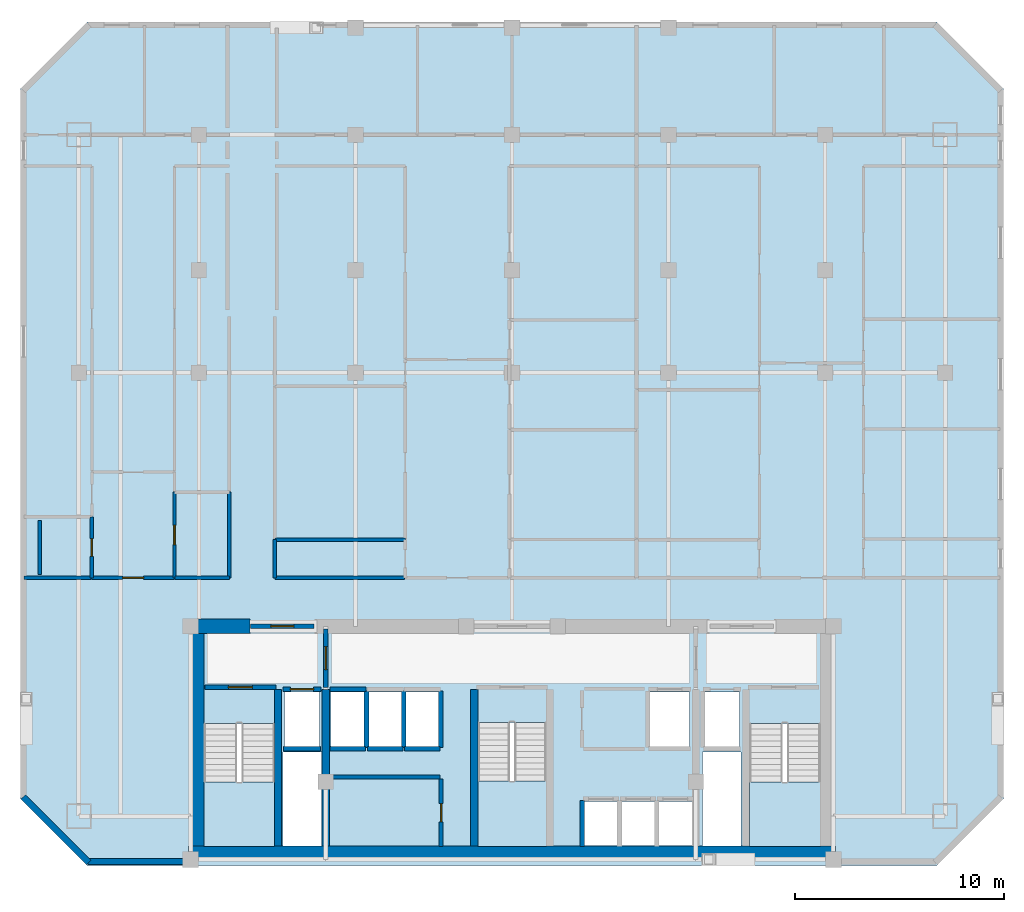
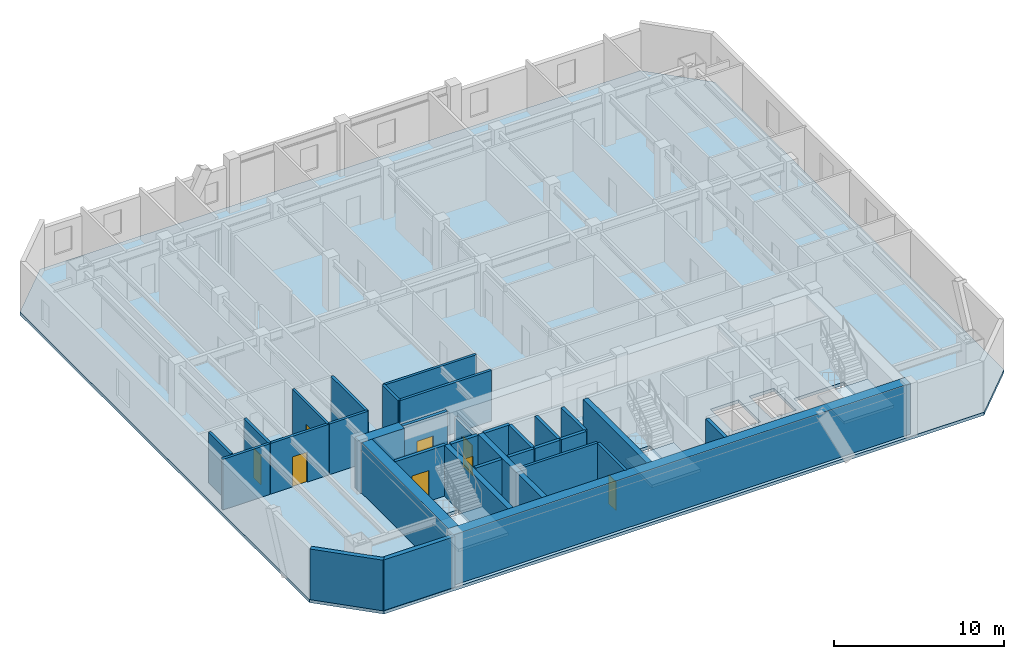
# One storey, part 2 of 8: 33 walls, 8 doors, 4 slabs, 8 openings, 3 elements without a shape of their own.
"""IFC4 building model written with IfcOpenShell, lengths in metres."""

from ifc_helpers import new_model, si_unit, direction, frame, frame_2d, origin, place, context, subcontext, project, spatial, polyline, rectangle, outline, extrude, material, layer, layer_set, type_object, element, fill, aggregate, save


model = new_model("IFC4")

# Units and contexts
model_context = context("Model", 3, precision=1e-05, world=origin(), true_north=direction((0.0, 1.0)))
body_context = subcontext(model_context, "Body", "Model", "MODEL_VIEW")
ifc_project = project(units=[si_unit("LENGTHUNIT", "METRE"), si_unit("AREAUNIT", "SQUARE_METRE"), si_unit("VOLUMEUNIT", "CUBIC_METRE"), si_unit("PLANEANGLEUNIT", "RADIAN"), si_unit("MASSUNIT", "GRAM", prefix="KILO")], contexts=[model_context])

# Site, building, storey
site_placement = place(None, origin())
site = spatial("IfcSite", under=ifc_project, at=site_placement, CompositionType="ELEMENT")
building_placement = place(site_placement, origin())
building = spatial("IfcBuilding", under=site, at=building_placement, Name="Ventersveld Concourse Tower", CompositionType="ELEMENT")
storey_placement = place(building_placement, frame((0.0, 0.0, 164.449951171875)))
storey = spatial("IfcBuildingStorey", under=building, at=storey_placement, Name="L40", CompositionType="ELEMENT", Elevation=164.449951171875)

# Slab
ifc_material_1 = material(Name="Concrete C50/60", Category="concrete")
ifc_layer_1 = layer(ifc_material_1, 0.219970703125)
ifc_layer_set_1 = layer_set([ifc_layer_1], Name="Concrete C50/60")
slab_type_1 = type_object("IfcSlabType", Name="SL-FLR-220", PredefinedType="FLOOR", material=ifc_layer_set_1)
slab_1_placement = place(storey_placement, frame((0.0, 0.0, -0.219970703125)))
element("IfcSlab", 1, at=slab_1_placement, inside=storey, type_object=slab_type_1, Name="L40 Composite Floor Slab", PredefinedType="FLOOR", context=body_context, shape_type="SweptSolid", body=[
    extrude(outline(polyline([(8.39990234375, 0.0), (49.10009765625, 0.0), (52.300048828125, 3.199951171875), (52.300048828125, 37.199951171875), (49.10009765625, 40.39990234375), (8.39990234375, 40.39990234375), (5.199951171875, 37.199951171875), (5.199951171875, 3.199951171875), (8.39990234375, 0.0)]), holes=[polyline([(13.97998046875, 6.794921875), (13.97998046875, 0.89990234375), (17.3798828125, 0.89990234375), (17.3798828125, 6.794921875), (13.97998046875, 6.794921875)]), polyline([(40.1201171875, 6.794921875), (40.1201171875, 0.89990234375), (43.52001953125, 0.89990234375), (43.52001953125, 6.794921875), (40.1201171875, 6.794921875)]), polyline([(27.10009765625, 6.844970703125), (27.10009765625, 0.89990234375), (30.39990234375, 0.89990234375), (30.39990234375, 6.844970703125), (27.10009765625, 6.844970703125)]), polyline([(17.85009765625, 5.699951171875), (19.530029296875, 5.699951171875), (19.530029296875, 8.300048828125), (17.85009765625, 8.300048828125), (17.85009765625, 5.699951171875)]), polyline([(37.969970703125, 5.699951171875), (39.64990234375, 5.699951171875), (39.64990234375, 8.300048828125), (37.969970703125, 8.300048828125), (37.969970703125, 5.699951171875)]), polyline([(35.35009765625, 5.699951171875), (37.25, 5.699951171875), (37.25, 8.300048828125), (35.35009765625, 8.300048828125), (35.35009765625, 5.699951171875)]), polyline([(32.2099609375, 0.949951171875), (33.81005859375, 0.949951171875), (33.81005859375, 3.050048828125), (32.2099609375, 3.050048828125), (32.2099609375, 0.949951171875)]), polyline([(33.989990234375, 0.949951171875), (35.590087890625, 0.949951171875), (35.590087890625, 3.050048828125), (33.989990234375, 3.050048828125), (33.989990234375, 0.949951171875)]), polyline([(35.77001953125, 0.949951171875), (37.3701171875, 0.949951171875), (37.3701171875, 3.050048828125), (35.77001953125, 3.050048828125), (35.77001953125, 0.949951171875)]), polyline([(20.090087890625, 5.699951171875), (21.68994140625, 5.699951171875), (21.68994140625, 8.300048828125), (20.090087890625, 8.300048828125), (20.090087890625, 5.699951171875)]), polyline([(21.8701171875, 5.699951171875), (23.469970703125, 5.699951171875), (23.469970703125, 8.300048828125), (21.8701171875, 8.300048828125), (21.8701171875, 5.699951171875)]), polyline([(23.64990234375, 5.699951171875), (25.25, 5.699951171875), (25.25, 8.300048828125), (23.64990234375, 8.300048828125), (23.64990234375, 5.699951171875)]), polyline([(17.780029296875, 0.919921875), (19.6201171875, 0.919921875), (19.6201171875, 5.419921875), (17.780029296875, 5.419921875), (17.780029296875, 0.919921875)]), polyline([(37.8798828125, 0.919921875), (39.719970703125, 0.919921875), (39.719970703125, 5.419921875), (37.8798828125, 5.419921875), (37.8798828125, 0.919921875)])]), origin(), (0.0, 0.0, 1.0), 0.219970703125),
])

# Stair, slab
stair_type_1 = type_object("IfcStairType", Name="ST-DOG-160", PredefinedType="HALF_TURN_STAIR", material=ifc_material_1)
stair_1_placement = place(storey_placement, origin())
stair_1 = element("IfcStair", 2, at=stair_1_placement, inside=storey, type_object=stair_type_1, Name="L40 Protected Tower Escape Stair ST-01", PredefinedType="HALF_TURN_STAIR")
ifc_layer_2 = layer(ifc_material_1, 0.199951171875)
ifc_layer_set_2 = layer_set([ifc_layer_2], Name="Concrete C50/60")
slab_type_2 = type_object("IfcSlabType", Name="SL-LND-200", PredefinedType="LANDING", material=ifc_layer_set_2)
slab_2_placement = place(storey_placement, frame((0.0, 0.0, 1.72509765625)))
slab_2 = element("IfcSlab", 3, at=slab_2_placement, type_object=slab_type_2, Name="ST-01 landing 1", PredefinedType="LANDING", context=body_context, shape_type="SweptSolid", body=[
    extrude(outline(polyline([(13.97998046875, 4.0), (13.97998046875, 0.89990234375), (17.3798828125, 0.89990234375), (17.3798828125, 4.0), (13.97998046875, 4.0)])), origin(), (0.0, 0.0, 1.0), 0.199951171875),
])
aggregate(stair_1, [slab_2])

stair_2_placement = place(storey_placement, origin())
stair_2 = element("IfcStair", 4, at=stair_2_placement, inside=storey, type_object=stair_type_1, Name="L40 Protected Tower Escape Stair ST-02", PredefinedType="HALF_TURN_STAIR")
slab_3_placement = place(storey_placement, frame((0.0, 0.0, 1.72509765625)))
slab_3 = element("IfcSlab", 5, at=slab_3_placement, type_object=slab_type_2, Name="ST-02 landing 1", PredefinedType="LANDING", context=body_context, shape_type="SweptSolid", body=[
    extrude(outline(polyline([(40.1201171875, 4.0), (40.1201171875, 0.89990234375), (43.52001953125, 0.89990234375), (43.52001953125, 4.0), (40.1201171875, 4.0)])), origin(), (0.0, 0.0, 1.0), 0.199951171875),
])
aggregate(stair_2, [slab_3])

stair_type_2 = type_object("IfcStairType", Name="ST-DOG-155", PredefinedType="HALF_TURN_STAIR", material=ifc_material_1)
stair_3_placement = place(storey_placement, origin())
stair_3 = element("IfcStair", 6, at=stair_3_placement, inside=storey, type_object=stair_type_2, Name="L40 Protected Central Core Escape Stair ST-03", PredefinedType="HALF_TURN_STAIR")
slab_4_placement = place(storey_placement, frame((0.0, 0.0, 1.72509765625)))
slab_4 = element("IfcSlab", 7, at=slab_4_placement, type_object=slab_type_2, Name="ST-03 landing 1", PredefinedType="LANDING", context=body_context, shape_type="SweptSolid", body=[
    extrude(outline(polyline([(27.10009765625, 4.050048828125), (27.10009765625, 0.89990234375), (30.39990234375, 0.89990234375), (30.39990234375, 4.050048828125), (27.10009765625, 4.050048828125)])), origin(), (0.0, 0.0, 1.0), 0.199951171875),
])
aggregate(stair_3, [slab_4])

# Walls
ifc_material_2 = material(Name="Concrete C60/75", Category="concrete")
ifc_layer_3 = layer(ifc_material_2, 0.35009765625)
ifc_layer_set_3 = layer_set([ifc_layer_3], Name="Concrete C60/75")
wall_type_1 = type_object("IfcWallType", Name="WL-CORE-350L", PredefinedType="SHEAR", material=ifc_layer_set_3)
for number, where, z_axis, x_axis, name in (
    (8, (17.5400390625, 0.919921875, 0.0), (0.0, 0.0, 1.0), (0.0, 1.0, 0.0), "L40 Core Internal Shear Web W-ST1-E"),
    (9, (19.820068359375, 0.919921875, 0.0), (0.0, 0.0, 1.0), (0.0, 1.0, 0.0), "L40 Core Internal Shear Web W-FF1-E"),
    (10, (26.93994140625, 0.919921875, 0.0), (0.0, 0.0, 1.0), (0.0, 1.0, 0.0), "L40 Core Internal Shear Web W-ST3-W"),
):
    element("IfcWall", number, at=place(storey_placement, frame(where, z_axis=z_axis, x_axis=x_axis)), inside=storey, type_object=wall_type_1, Name=name, PredefinedType="SHEAR", context=body_context, shape_type="SweptSolid", body=[
        extrude(rectangle(XDim=7.5, YDim=0.35009765625, at=frame_2d((3.75, 0.0))), origin(), (0.0, 0.0, 1.0), 3.630126953125),
    ])
ifc_layer_4 = layer(ifc_material_2, 0.699951171875)
ifc_layer_set_4 = layer_set([ifc_layer_4], Name="Concrete C60/75")
wall_type_2 = type_object("IfcWallType", Name="WL-CORE-700", PredefinedType="SHEAR", material=ifc_layer_set_4)
wall_1_placement = place(storey_placement, frame((13.25, 0.570068359375, 0.0), z_axis=(0.0, 0.0, 1.0), x_axis=(1.0, 0.0, 0.0)))
element("IfcWall", 11, at=wall_1_placement, inside=storey, type_object=wall_type_2, Name="L40 Rear Core South Shear Wall", PredefinedType="SHEAR", context=body_context, shape_type="SweptSolid", body=[
    extrude(rectangle(XDim=31.0, YDim=0.699951171875, at=frame_2d((15.5, 0.0))), origin(), (0.0, 0.0, 1.0), 3.630126953125),
])
wall_2_placement = place(storey_placement, frame((13.64990234375, 0.919921875, 0.0), z_axis=(0.0, 0.0, 1.0), x_axis=(0.0, 1.0, 0.0)))
element("IfcWall", 12, at=wall_2_placement, inside=storey, type_object=wall_type_2, Name="L40 Rear Core West Shear Wall", PredefinedType="SHEAR", context=body_context, shape_type="SweptSolid", body=[
    extrude(rectangle(XDim=10.530029296875, YDim=0.699951171875, at=frame_2d((5.26513671875, 0.0))), origin(), (0.0, 0.0, 1.0), 3.630126953125),
])
wall_3_placement = place(storey_placement, frame((13.25, 11.449951171875, 0.0), z_axis=(0.0, 0.0, 1.0), x_axis=(1.0, 0.0, 0.0)))
element("IfcWall", 13, at=wall_3_placement, inside=storey, type_object=wall_type_2, Name="L40 Rear Core North Shear Wall NW", PredefinedType="SHEAR", context=body_context, shape_type="SweptSolid", body=[
    extrude(rectangle(XDim=2.949951171875, YDim=0.699951171875, at=frame_2d((1.47509765625, 0.0))), origin(), (0.0, 0.0, 1.0), 3.630126953125),
])

# Wall, opening, door
ifc_material_3 = material(Name="Fire-rated autoclaved aerated masonry blockwork", Category="masonry")
ifc_layer_5 = layer(ifc_material_3, 0.179931640625)
ifc_layer_set_5 = layer_set([ifc_layer_5], Name="Fire-rated autoclaved aerated masonry blockwork")
wall_type_3 = type_object("IfcWallType", Name="WL-CORR-180", PredefinedType="PARTITIONING", material=ifc_layer_set_5)
wall_4_placement = place(storey_placement, frame((25.35009765625, 0.89990234375, 0.0), z_axis=(0.0, 0.0, 1.0), x_axis=(0.0, 1.0, 0.0)))
wall_4 = element("IfcWall", 14, at=wall_4_placement, inside=storey, type_object=wall_type_3, Name="L40 Core Passage Wall SP-L40-RECB1A", PredefinedType="PARTITIONING", context=body_context, shape_type="SweptSolid", body=[
    extrude(rectangle(XDim=3.239990234375, YDim=0.179931640625, at=frame_2d((1.6201171875, 0.0))), origin(), (0.0, 0.0, 1.0), 3.630126953125),
])
opening_1_placement = place(wall_4_placement, frame((1.179931640625, 0.0, 0.0)))
opening_1 = element("IfcOpeningElement", 15, at=opening_1_placement, cuts=wall_4, Name="Opening FD5", PredefinedType="OPENING", context=body_context, shape_type="SweptSolid", body=[
    extrude(rectangle(XDim=0.8798828125, YDim=2.050048828125, at=frame_2d((0.43994140625, 1.02490234375))), frame((0.0, 0.10009765625, 0.0), z_axis=(0.0, -1.0, 0.0), x_axis=(1.0, 0.0, 0.0)), (0.0, 0.0, 1.0), 0.199951171875),
])
ifc_material_4 = material(Name="Galvanised painted steel", Category="steel")
door_type_1 = type_object("IfcDoorType", Name="DR-RISER-088", OperationType="NOTDEFINED", PredefinedType="DOOR", material=ifc_material_4)
door_1_placement = place(opening_1_placement, origin())
door_1 = element("IfcDoor", 16, at=door_1_placement, inside=storey, type_object=door_type_1, Name="L40 Core Room Door L40 Reclaimed Core Quiet Study Pod (CD-L40-1952)", OperationType="SINGLE_SWING_LEFT", OverallHeight=2.050048828125, OverallWidth=0.8798828125, PredefinedType="DOOR", context=body_context, shape_type="SweptSolid", body=[
    extrude(rectangle(XDim=0.8798828125, YDim=2.050048828125, at=frame_2d((0.43994140625, 1.02490234375))), frame((0.0, 0.02490234375, 0.0), z_axis=(0.0, -1.0, 0.0), x_axis=(1.0, 0.0, 0.0)), (0.0, 0.0, 1.0), 0.050048828125),
])
fill(opening_1, door_1)

# Wall
wall_5_placement = place(storey_placement, frame((19.97998046875, 4.22998046875, 0.0), z_axis=(0.0, 0.0, 1.0), x_axis=(1.0, 0.0, 0.0)))
element("IfcWall", 17, at=wall_5_placement, inside=storey, type_object=wall_type_3, Name="L40 Core Top Wall SP-L40-RECB1A", PredefinedType="PARTITIONING", context=body_context, shape_type="SweptSolid", body=[
    extrude(rectangle(XDim=5.320068359375, YDim=0.179931640625, at=frame_2d((2.66015625, 0.0))), origin(), (0.0, 0.0, 1.0), 3.630126953125),
])

# Wall, opening, door
wall_6_placement = place(storey_placement, frame((8.6162109375, 13.77001953125, 0.0), z_axis=(0.0, 0.0, 1.0), x_axis=(1.0, 0.0, 0.0)))
wall_6 = element("IfcWall", 18, at=wall_6_placement, inside=storey, type_object=wall_type_3, Name="L40 Interior Partition SP-L40-COR-SP-L40-40NW-FOY", PredefinedType="PARTITIONING", context=body_context, shape_type="SweptSolid", body=[
    extrude(rectangle(XDim=3.969970703125, YDim=0.179931640625, at=frame_2d((1.98486328125, 0.0))), origin(), (0.0, 0.0, 1.0), 3.630126953125),
])
opening_2_placement = place(wall_6_placement, frame((1.485107421875, 0.0, 0.0)))
opening_2 = element("IfcOpeningElement", 19, at=opening_2_placement, cuts=wall_6, Name="Opening FD3", PredefinedType="OPENING", context=body_context, shape_type="SweptSolid", body=[
    extrude(rectangle(XDim=1.0, YDim=2.14990234375, at=frame_2d((0.5, 1.074951171875))), frame((0.0, 0.10009765625, 0.0), z_axis=(0.0, -1.0, 0.0), x_axis=(1.0, 0.0, 0.0)), (0.0, 0.0, 1.0), 0.199951171875),
])
ifc_material_5 = material(Name="Solid-core hardwood veneer timber", Category="wood")
door_type_2 = type_object("IfcDoorType", Name="DR-FLAT-100", OperationType="NOTDEFINED", PredefinedType="DOOR", material=ifc_material_5)
door_2_placement = place(opening_2_placement, origin())
door_2 = element("IfcDoor", 20, at=door_2_placement, inside=storey, type_object=door_type_2, Name="L40 Interior Door SP-L40-COR to SP-L40-40NW-FOY (FD-L40-1954)", OperationType="SINGLE_SWING_RIGHT", OverallHeight=2.14990234375, OverallWidth=1.0, PredefinedType="DOOR", context=body_context, shape_type="SweptSolid", body=[
    extrude(rectangle(XDim=1.0, YDim=2.14990234375, at=frame_2d((0.5, 1.074951171875))), frame((0.0, 0.02490234375, 0.0), z_axis=(0.0, -1.0, 0.0), x_axis=(1.0, 0.0, 0.0)), (0.0, 0.0, 1.0), 0.050048828125),
])
fill(opening_2, door_2)

# Walls
wall_7_placement = place(storey_placement, frame((5.37255859375, 13.77001953125, 0.0), z_axis=(0.0, 0.0, 1.0), x_axis=(1.0, 0.0, 0.0)))
element("IfcWall", 21, at=wall_7_placement, inside=storey, type_object=wall_type_3, Name="L40 Interior Partition SP-L40-COR-SP-L40-40NW-BATH", PredefinedType="PARTITIONING", context=body_context, shape_type="SweptSolid", body=[
    extrude(rectangle(XDim=3.213623046875, YDim=0.179931640625, at=frame_2d((1.60693359375, 0.0))), origin(), (0.0, 0.0, 1.0), 3.630126953125),
])
wall_8_placement = place(storey_placement, frame((15.2099609375, 13.764892578125, 0.0), z_axis=(0.0, 0.0, 1.0), x_axis=(0.0, 1.0, 0.0)))
element("IfcWall", 22, at=wall_8_placement, inside=storey, type_object=wall_type_3, Name="L40 Interior Partition SP-L40-COR-SP-L40-40NW-KIT", PredefinedType="PARTITIONING", context=body_context, shape_type="SweptSolid", body=[
    extrude(rectangle(XDim=4.110595703125, YDim=0.179931640625, at=frame_2d((2.05517578125, 0.0))), origin(), (0.0, 0.0, 1.0), 3.630126953125),
])
wall_9_placement = place(storey_placement, frame((12.6162109375, 13.77001953125, 0.0), z_axis=(0.0, 0.0, 1.0), x_axis=(1.0, 0.0, 0.0)))
element("IfcWall", 23, at=wall_9_placement, inside=storey, type_object=wall_type_3, Name="L40 Interior Partition SP-L40-COR-SP-L40-40NW-KIT", PredefinedType="PARTITIONING", context=body_context, shape_type="SweptSolid", body=[
    extrude(rectangle(XDim=2.598876953125, YDim=0.179931640625, at=frame_2d((1.29931640625, 0.0))), origin(), (0.0, 0.0, 1.0), 3.630126953125),
])
wall_10_placement = place(storey_placement, frame((17.385009765625, 13.77001953125, 0.0), z_axis=(0.0, 0.0, 1.0), x_axis=(1.0, 0.0, 0.0)))
element("IfcWall", 24, at=wall_10_placement, inside=storey, type_object=wall_type_3, Name="L40 Interior Partition SP-L40-COR-SP-L40-40N1-BATH", PredefinedType="PARTITIONING", context=body_context, shape_type="SweptSolid", body=[
    extrude(rectangle(XDim=6.21630859375, YDim=0.179931640625, at=frame_2d((3.108154296875, 0.0))), origin(), (0.0, 0.0, 1.0), 3.630126953125),
])
wall_11_placement = place(storey_placement, frame((17.389892578125, 13.764892578125, 0.0), z_axis=(0.0, 0.0, 1.0), x_axis=(0.0, 1.0, 0.0)))
element("IfcWall", 25, at=wall_11_placement, inside=storey, type_object=wall_type_3, Name="L40 Interior Partition SP-L40-COR-SP-L40-40N1-BATH", PredefinedType="PARTITIONING", context=body_context, shape_type="SweptSolid", body=[
    extrude(rectangle(XDim=1.840087890625, YDim=0.179931640625, at=frame_2d((0.919921875, 0.0))), origin(), (0.0, 0.0, 1.0), 3.630126953125),
])
ifc_layer_6 = layer(ifc_material_3, 0.219970703125)
ifc_layer_set_6 = layer_set([ifc_layer_6], Name="Fire-rated autoclaved aerated masonry blockwork")
wall_type_4 = type_object("IfcWallType", Name="WL-HOIST-220", PredefinedType="SOLIDWALL", material=ifc_layer_set_6)
wall_12_placement = place(storey_placement, frame((17.800048828125, 5.590087890625, 0.0), z_axis=(0.0, 0.0, 1.0), x_axis=(1.0, 0.0, 0.0)))
element("IfcWall", 26, at=wall_12_placement, inside=storey, type_object=wall_type_4, Name="L40 Lift Hoistway Back Wall FFL-01", PredefinedType="SOLIDWALL", context=body_context, shape_type="SweptSolid", body=[
    extrude(rectangle(XDim=1.780029296875, YDim=0.219970703125, at=frame_2d((0.89013671875, 0.0))), origin(), (0.0, 0.0, 1.0), 3.630126953125),
])

# Wall, opening, door
wall_13_placement = place(storey_placement, frame((17.780029296875, 8.429931640625, 0.0), z_axis=(0.0, 0.0, 1.0), x_axis=(1.0, 0.0, 0.0)))
wall_13 = element("IfcWall", 27, at=wall_13_placement, inside=storey, type_object=wall_type_4, Name="L40 Lift Hoistway Front Wall FFL-01", PredefinedType="SOLIDWALL", context=body_context, shape_type="SweptSolid", body=[
    extrude(rectangle(XDim=1.820068359375, YDim=0.219970703125, at=frame_2d((0.91015625, 0.0))), origin(), (0.0, 0.0, 1.0), 3.630126953125),
])
opening_3_placement = place(wall_13_placement, frame((0.35009765625, 0.0, 0.0)))
opening_3 = element("IfcOpeningElement", 28, at=opening_3_placement, cuts=wall_13, Name="Opening LD1", PredefinedType="OPENING", context=body_context, shape_type="SweptSolid", body=[
    extrude(rectangle(XDim=1.1201171875, YDim=2.25, at=frame_2d((0.56005859375, 1.125))), frame((0.0, 0.1201171875, 0.0), z_axis=(0.0, -1.0, 0.0), x_axis=(1.0, 0.0, 0.0)), (0.0, 0.0, 1.0), 0.239990234375),
])
ifc_material_6 = material(Name="Brushed stainless steel 316", Category="steel")
door_type_3 = type_object("IfcDoorType", Name="LD-FF-112", OperationType="SLIDING_TO_LEFT", PredefinedType="DOOR", material=ifc_material_6)
door_3_placement = place(opening_3_placement, origin())
door_3 = element("IfcDoor", 29, at=door_3_placement, inside=storey, type_object=door_type_3, Name="L40 Lift landing door FFL-01 (LD-L40-FFL-01)", OperationType="SLIDING_TO_LEFT", OverallHeight=2.25, OverallWidth=1.1201171875, PredefinedType="DOOR", context=body_context, shape_type="SweptSolid", body=[
    extrude(rectangle(XDim=1.1201171875, YDim=2.25, at=frame_2d((0.56005859375, 1.125))), frame((0.0, 0.02490234375, 0.0), z_axis=(0.0, -1.0, 0.0), x_axis=(1.0, 0.0, 0.0)), (0.0, 0.0, 1.0), 0.050048828125),
])
fill(opening_3, door_3)

# Walls
wall_14_placement = place(storey_placement, frame((32.1201171875, 0.89990234375, 0.0), z_axis=(0.0, 0.0, 1.0), x_axis=(0.0, 1.0, 0.0)))
element("IfcWall", 30, at=wall_14_placement, inside=storey, type_object=wall_type_4, Name="L40 Lift Hoistway Side Wall PM-01W", PredefinedType="SOLIDWALL", context=body_context, shape_type="SweptSolid", body=[
    extrude(rectangle(XDim=2.2001953125, YDim=0.219970703125, at=frame_2d((1.10009765625, 0.0))), origin(), (0.0, 0.0, 1.0), 3.630126953125),
])
wall_15_placement = place(storey_placement, frame((20.0400390625, 5.590087890625, 0.0), z_axis=(0.0, 0.0, 1.0), x_axis=(1.0, 0.0, 0.0)))
element("IfcWall", 31, at=wall_15_placement, inside=storey, type_object=wall_type_4, Name="L40 Lift Hoistway Back Wall PH-01", PredefinedType="SOLIDWALL", context=body_context, shape_type="SweptSolid", body=[
    extrude(rectangle(XDim=1.699951171875, YDim=0.219970703125, at=frame_2d((0.85009765625, 0.0))), origin(), (0.0, 0.0, 1.0), 3.630126953125),
])
wall_16_placement = place(storey_placement, frame((21.780029296875, 5.64990234375, 0.0), z_axis=(0.0, 0.0, 1.0), x_axis=(0.0, 1.0, 0.0)))
element("IfcWall", 32, at=wall_16_placement, inside=storey, type_object=wall_type_4, Name="L40 Lift Hoistway Side Wall PH-01E", PredefinedType="SOLIDWALL", context=body_context, shape_type="SweptSolid", body=[
    extrude(rectangle(XDim=2.7001953125, YDim=0.219970703125, at=frame_2d((1.35009765625, 0.0))), origin(), (0.0, 0.0, 1.0), 3.630126953125),
])
wall_17_placement = place(storey_placement, frame((20.02001953125, 8.429931640625, 0.0), z_axis=(0.0, 0.0, 1.0), x_axis=(1.0, 0.0, 0.0)))
element("IfcWall", 33, at=wall_17_placement, inside=storey, type_object=wall_type_4, Name="L40 Lift Hoistway Front Wall PH-01", PredefinedType="SOLIDWALL", context=body_context, shape_type="SweptSolid", body=[
    extrude(rectangle(XDim=1.739990234375, YDim=0.219970703125, at=frame_2d((0.8701171875, 0.0))), origin(), (0.0, 0.0, 1.0), 3.630126953125),
])
wall_18_placement = place(storey_placement, frame((21.820068359375, 5.590087890625, 0.0), z_axis=(0.0, 0.0, 1.0), x_axis=(1.0, 0.0, 0.0)))
element("IfcWall", 34, at=wall_18_placement, inside=storey, type_object=wall_type_4, Name="L40 Lift Hoistway Back Wall PH-02", PredefinedType="SOLIDWALL", context=body_context, shape_type="SweptSolid", body=[
    extrude(rectangle(XDim=1.699951171875, YDim=0.219970703125, at=frame_2d((0.85009765625, 0.0))), origin(), (0.0, 0.0, 1.0), 3.630126953125),
])
wall_19_placement = place(storey_placement, frame((23.56005859375, 5.64990234375, 0.0), z_axis=(0.0, 0.0, 1.0), x_axis=(0.0, 1.0, 0.0)))
element("IfcWall", 35, at=wall_19_placement, inside=storey, type_object=wall_type_4, Name="L40 Lift Hoistway Side Wall PH-02E", PredefinedType="SOLIDWALL", context=body_context, shape_type="SweptSolid", body=[
    extrude(rectangle(XDim=2.7001953125, YDim=0.219970703125, at=frame_2d((1.35009765625, 0.0))), origin(), (0.0, 0.0, 1.0), 3.630126953125),
])
wall_20_placement = place(storey_placement, frame((23.60009765625, 5.590087890625, 0.0), z_axis=(0.0, 0.0, 1.0), x_axis=(1.0, 0.0, 0.0)))
element("IfcWall", 36, at=wall_20_placement, inside=storey, type_object=wall_type_4, Name="L40 Lift Hoistway Back Wall PH-03", PredefinedType="SOLIDWALL", context=body_context, shape_type="SweptSolid", body=[
    extrude(rectangle(XDim=1.699951171875, YDim=0.219970703125, at=frame_2d((0.85009765625, 0.0))), origin(), (0.0, 0.0, 1.0), 3.630126953125),
])
wall_21_placement = place(storey_placement, frame((25.340087890625, 5.64990234375, 0.0), z_axis=(0.0, 0.0, 1.0), x_axis=(0.0, 1.0, 0.0)))
element("IfcWall", 37, at=wall_21_placement, inside=storey, type_object=wall_type_4, Name="L40 Lift Hoistway Side Wall PH-03E", PredefinedType="SOLIDWALL", context=body_context, shape_type="SweptSolid", body=[
    extrude(rectangle(XDim=2.7001953125, YDim=0.219970703125, at=frame_2d((1.35009765625, 0.0))), origin(), (0.0, 0.0, 1.0), 3.630126953125),
])

# Wall, opening, door
wall_22_placement = place(storey_placement, frame((14.0400390625, 8.52001953125, 0.0), z_axis=(0.0, 0.0, 1.0), x_axis=(1.0, 0.0, 0.0)))
wall_22 = element("IfcWall", 38, at=wall_22_placement, inside=storey, type_object=wall_type_4, Name="L40 Escape Stair ST01 Fire Wall", PredefinedType="SOLIDWALL", context=body_context, shape_type="SweptSolid", body=[
    extrude(rectangle(XDim=3.39990234375, YDim=0.219970703125, at=frame_2d((1.699951171875, 0.0))), origin(), (0.0, 0.0, 1.0), 3.630126953125),
])
opening_4_placement = place(wall_22_placement, frame((1.125, 0.0, 0.0)))
opening_4 = element("IfcOpeningElement", 39, at=opening_4_placement, cuts=wall_22, Name="Opening FD1", PredefinedType="OPENING", context=body_context, shape_type="SweptSolid", body=[
    extrude(rectangle(XDim=1.14990234375, YDim=2.199951171875, at=frame_2d((0.574951171875, 1.10009765625))), frame((0.0, 0.1201171875, 0.0), z_axis=(0.0, -1.0, 0.0), x_axis=(1.0, 0.0, 0.0)), (0.0, 0.0, 1.0), 0.239990234375),
])
door_type_4 = type_object("IfcDoorType", Name="DR-STAIR-115", OperationType="NOTDEFINED", PredefinedType="DOOR", material=ifc_material_4)
door_4_placement = place(opening_4_placement, origin())
door_4 = element("IfcDoor", 40, at=door_4_placement, inside=storey, type_object=door_type_4, Name="L40 Escape Stair Door ST01 (SD-L40-1944)", OperationType="SINGLE_SWING_LEFT", OverallHeight=2.199951171875, OverallWidth=1.14990234375, PredefinedType="DOOR", context=body_context, shape_type="SweptSolid", body=[
    extrude(rectangle(XDim=1.14990234375, YDim=2.199951171875, at=frame_2d((0.574951171875, 1.10009765625))), frame((0.0, 0.02490234375, 0.0), z_axis=(0.0, -1.0, 0.0), x_axis=(1.0, 0.0, 0.0)), (0.0, 0.0, 1.0), 0.050048828125),
])
fill(opening_4, door_4)

wall_23_placement = place(storey_placement, frame((19.820068359375, 8.52001953125, 0.0), z_axis=(0.0, 0.0, 1.0), x_axis=(0.0, 1.0, 0.0)))
wall_23 = element("IfcWall", 41, at=wall_23_placement, inside=storey, type_object=wall_type_4, Name="L40 Firefighting Lobby Smoke-Stop Wall FFLW-SEP", PredefinedType="SOLIDWALL", context=body_context, shape_type="SweptSolid", body=[
    extrude(rectangle(XDim=2.800048828125, YDim=0.219970703125, at=frame_2d((1.39990234375, 0.0))), origin(), (0.0, 0.0, 1.0), 3.08544921875),
])
opening_5_placement = place(wall_23_placement, frame((0.85009765625, 0.0, 0.0)))
opening_5 = element("IfcOpeningElement", 42, at=opening_5_placement, cuts=wall_23, Name="Opening FD2", PredefinedType="OPENING", context=body_context, shape_type="SweptSolid", body=[
    extrude(rectangle(XDim=1.10009765625, YDim=2.199951171875, at=frame_2d((0.550048828125, 1.10009765625))), frame((0.0, 0.1201171875, 0.0), z_axis=(0.0, -1.0, 0.0), x_axis=(1.0, 0.0, 0.0)), (0.0, 0.0, 1.0), 0.239990234375),
])
door_type_5 = type_object("IfcDoorType", Name="DR-FFL-110", OperationType="NOTDEFINED", PredefinedType="DOOR", material=ifc_material_4)
door_5_placement = place(opening_5_placement, origin())
door_5 = element("IfcDoor", 43, at=door_5_placement, inside=storey, type_object=door_type_5, Name="L40 Firefighting Lobby Door FFLW-SEP (FD-L40-1947)", OperationType="SINGLE_SWING_LEFT", OverallHeight=2.199951171875, OverallWidth=1.10009765625, PredefinedType="DOOR", context=body_context, shape_type="SweptSolid", body=[
    extrude(rectangle(XDim=1.10009765625, YDim=2.199951171875, at=frame_2d((0.550048828125, 1.10009765625))), frame((0.0, 0.02490234375, 0.0), z_axis=(0.0, -1.0, 0.0), x_axis=(1.0, 0.0, 0.0)), (0.0, 0.0, 1.0), 0.050048828125),
])
fill(opening_5, door_5)

wall_24_placement = place(storey_placement, frame((16.22998046875, 11.449951171875, 0.0), z_axis=(0.0, 0.0, 1.0), x_axis=(1.0, 0.0, 0.0)))
wall_24 = element("IfcWall", 44, at=wall_24_placement, inside=storey, type_object=wall_type_4, Name="L40 Core North Fire Portal FFLW-OUT", PredefinedType="SOLIDWALL", context=body_context, shape_type="SweptSolid", body=[
    extrude(rectangle(XDim=3.0400390625, YDim=0.219970703125, at=frame_2d((1.52001953125, 0.0))), origin(), (0.0, 0.0, 1.0), 3.630126953125),
])
opening_6_placement = place(wall_24_placement, frame((0.969970703125, 0.0, 0.0)))
opening_6 = element("IfcOpeningElement", 45, at=opening_6_placement, cuts=wall_24, Name="Opening FD2", PredefinedType="OPENING", context=body_context, shape_type="SweptSolid", body=[
    extrude(rectangle(XDim=1.10009765625, YDim=2.199951171875, at=frame_2d((0.550048828125, 1.10009765625))), frame((0.0, 0.1201171875, 0.0), z_axis=(0.0, -1.0, 0.0), x_axis=(1.0, 0.0, 0.0)), (0.0, 0.0, 1.0), 0.239990234375),
])
door_6_placement = place(opening_6_placement, origin())
door_6 = element("IfcDoor", 46, at=door_6_placement, inside=storey, type_object=door_type_5, Name="L40 Core Lobby Fire Door FFLW-OUT (FD-L40-1949)", OperationType="SINGLE_SWING_RIGHT", OverallHeight=2.199951171875, OverallWidth=1.10009765625, PredefinedType="DOOR", context=body_context, shape_type="SweptSolid", body=[
    extrude(rectangle(XDim=1.10009765625, YDim=2.199951171875, at=frame_2d((0.550048828125, 1.10009765625))), frame((0.0, 0.02490234375, 0.0), z_axis=(0.0, -1.0, 0.0), x_axis=(1.0, 0.0, 0.0)), (0.0, 0.0, 1.0), 0.050048828125),
])
fill(opening_6, door_6)

ifc_material_7 = material(Name="Autoclaved aerated masonry blockwork", Category="masonry")
ifc_layer_7 = layer(ifc_material_7, 0.14990234375)
ifc_layer_set_7 = layer_set([ifc_layer_7], Name="Autoclaved aerated masonry blockwork")
wall_type_5 = type_object("IfcWallType", Name="WL-INT-150", PredefinedType="PARTITIONING", material=ifc_layer_set_7)
wall_25_placement = place(storey_placement, frame((12.581298828125, 13.764892578125, 0.0), z_axis=(0.0, 0.0, 1.0), x_axis=(0.0, 1.0, 0.0)))
wall_25 = element("IfcWall", 47, at=wall_25_placement, inside=storey, type_object=wall_type_5, Name="L40 Interior Partition SP-L40-40NW-FOY-SP-L40-40NW-KIT", PredefinedType="PARTITIONING", context=body_context, shape_type="SweptSolid", body=[
    extrude(rectangle(XDim=4.110595703125, YDim=0.14990234375, at=frame_2d((2.05517578125, 0.0))), origin(), (0.0, 0.0, 1.0), 3.630126953125),
])
opening_7_placement = place(wall_25_placement, frame((1.59521484375, 0.0, 0.0)))
opening_7 = element("IfcOpeningElement", 48, at=opening_7_placement, cuts=wall_25, Name="Opening ID1", PredefinedType="OPENING", context=body_context, shape_type="SweptSolid", body=[
    extrude(rectangle(XDim=0.919921875, YDim=2.10009765625, at=frame_2d((0.4599609375, 1.050048828125))), frame((0.0, 0.0849609375, 0.0), z_axis=(0.0, -1.0, 0.0), x_axis=(1.0, 0.0, 0.0)), (0.0, 0.0, 1.0), 0.169921875),
])
door_type_6 = type_object("IfcDoorType", Name="DR-ROOM-092", OperationType="NOTDEFINED", PredefinedType="DOOR", material=ifc_material_5)
door_7_placement = place(opening_7_placement, origin())
door_7 = element("IfcDoor", 49, at=door_7_placement, inside=storey, type_object=door_type_6, Name="L40 Interior Door SP-L40-40NW-FOY to SP-L40-40NW-KIT (D-L40-1960)", OperationType="SINGLE_SWING_RIGHT", OverallHeight=2.10009765625, OverallWidth=0.919921875, PredefinedType="DOOR", context=body_context, shape_type="SweptSolid", body=[
    extrude(rectangle(XDim=0.919921875, YDim=2.10009765625, at=frame_2d((0.4599609375, 1.050048828125))), frame((0.0, 0.02490234375, 0.0), z_axis=(0.0, -1.0, 0.0), x_axis=(1.0, 0.0, 0.0)), (0.0, 0.0, 1.0), 0.050048828125),
])
fill(opening_7, door_7)

# Walls
ifc_material_8 = material(Name="Precast concrete C45/55", Category="concrete")
ifc_layer_8 = layer(ifc_material_8, 0.300048828125)
ifc_layer_set_8 = layer_set([ifc_layer_8], Name="Precast concrete C45/55")
wall_type_6 = type_object("IfcWallType", Name="WL-PREC-300", PredefinedType="SOLIDWALL", material=ifc_layer_set_8)
wall_26_placement = place(storey_placement, frame((8.43994140625, 0.179931640625, 0.0), z_axis=(0.0, 0.0, 1.0), x_axis=(1.0, 0.0, 0.0)))
element("IfcWall", 50, at=wall_26_placement, inside=storey, type_object=wall_type_6, Name="L40 South-West Flank Precast Wall", PredefinedType="SOLIDWALL", context=body_context, shape_type="SweptSolid", body=[
    extrude(rectangle(XDim=4.81005859375, YDim=0.300048828125, at=frame_2d((2.405029296875, 0.0))), origin(), (0.0, 0.0, 1.0), 3.630126953125),
])
wall_27_placement = place(storey_placement, frame((5.33447265625, 3.27783203125, 0.0), z_axis=(0.0, 0.0, 1.0), x_axis=(0.707106781187, -0.707106781187, 0.0)))
element("IfcWall", 51, at=wall_27_placement, inside=storey, type_object=wall_type_6, Name="L40 Highveld Precast Facade Wall E08", PredefinedType="SOLIDWALL", context=body_context, shape_type="SweptSolid", body=[
    extrude(rectangle(XDim=4.4453125, YDim=0.300048828125, at=frame_2d((2.22265625, 0.0))), origin(), (0.0, 0.0, 1.0), 3.630126953125),
])

# Wall, opening, door
ifc_layer_9 = layer(ifc_material_7, 0.1650390625)
ifc_layer_set_9 = layer_set([ifc_layer_9], Name="Autoclaved aerated masonry blockwork")
wall_type_7 = type_object("IfcWallType", Name="WL-WET-165", PredefinedType="PLUMBINGWALL", material=ifc_layer_set_9)
wall_28_placement = place(storey_placement, frame((8.621337890625, 13.764892578125, 0.0), z_axis=(0.0, 0.0, 1.0), x_axis=(0.0, 1.0, 0.0)))
wall_28 = element("IfcWall", 52, at=wall_28_placement, inside=storey, type_object=wall_type_7, Name="L40 Interior Partition SP-L40-40NW-FOY-SP-L40-40NW-BATH", PredefinedType="PLUMBINGWALL", context=body_context, shape_type="SweptSolid", body=[
    extrude(rectangle(XDim=2.92724609375, YDim=0.1650390625, at=frame_2d((1.463623046875, 0.0))), origin(), (0.0, 0.0, 1.0), 3.630126953125),
])
opening_8_placement = place(wall_28_placement, frame((1.03857421875, 0.0, 0.0)))
opening_8 = element("IfcOpeningElement", 53, at=opening_8_placement, cuts=wall_28, Name="Opening ID2", PredefinedType="OPENING", context=body_context, shape_type="SweptSolid", body=[
    extrude(rectangle(XDim=0.85009765625, YDim=2.10009765625, at=frame_2d((0.425048828125, 1.050048828125))), frame((0.0, 0.092529296875, 0.0), z_axis=(0.0, -1.0, 0.0), x_axis=(1.0, 0.0, 0.0)), (0.0, 0.0, 1.0), 0.18505859375),
])
door_type_7 = type_object("IfcDoorType", Name="DR-BATH-085", OperationType="NOTDEFINED", PredefinedType="DOOR", material=ifc_material_5)
door_8_placement = place(opening_8_placement, origin())
door_8 = element("IfcDoor", 54, at=door_8_placement, inside=storey, type_object=door_type_7, Name="L40 Interior Door SP-L40-40NW-FOY to SP-L40-40NW-BATH (D-L40-1958)", OperationType="SINGLE_SWING_RIGHT", OverallHeight=2.10009765625, OverallWidth=0.85009765625, PredefinedType="DOOR", context=body_context, shape_type="SweptSolid", body=[
    extrude(rectangle(XDim=0.85009765625, YDim=2.10009765625, at=frame_2d((0.425048828125, 1.050048828125))), frame((0.0, 0.02490234375, 0.0), z_axis=(0.0, -1.0, 0.0), x_axis=(1.0, 0.0, 0.0)), (0.0, 0.0, 1.0), 0.050048828125),
])
fill(opening_8, door_8)

# Walls
wall_29_placement = place(storey_placement, frame((17.385009765625, 15.60009765625, 0.0), z_axis=(0.0, 0.0, 1.0), x_axis=(1.0, 0.0, 0.0)))
element("IfcWall", 55, at=wall_29_placement, inside=storey, type_object=wall_type_7, Name="L40 Interior Partition SP-L40-40N1-BATH-SP-L40-40N1-OFFL0", PredefinedType="PLUMBINGWALL", context=body_context, shape_type="SweptSolid", body=[
    extrude(rectangle(XDim=6.25634765625, YDim=0.1650390625, at=frame_2d((3.128173828125, 0.0))), origin(), (0.0, 0.0, 1.0), 3.630126953125),
])
wall_30_placement = place(storey_placement, frame((6.1201171875, 13.93505859375, 0.0), z_axis=(0.0, 0.0, 1.0), x_axis=(0.0, 1.0, 0.0)))
element("IfcWall", 56, at=wall_30_placement, inside=storey, type_object=wall_type_7, Name="L40 Room Enclosure Wall SP-L40-40NW-BATH", PredefinedType="PLUMBINGWALL", context=body_context, shape_type="SweptSolid", body=[
    extrude(rectangle(XDim=2.587158203125, YDim=0.1650390625, at=frame_2d((1.29345703125, 0.0))), origin(), (0.0, 0.0, 1.0), 3.630126953125),
])

save(model, "model.ifc")
